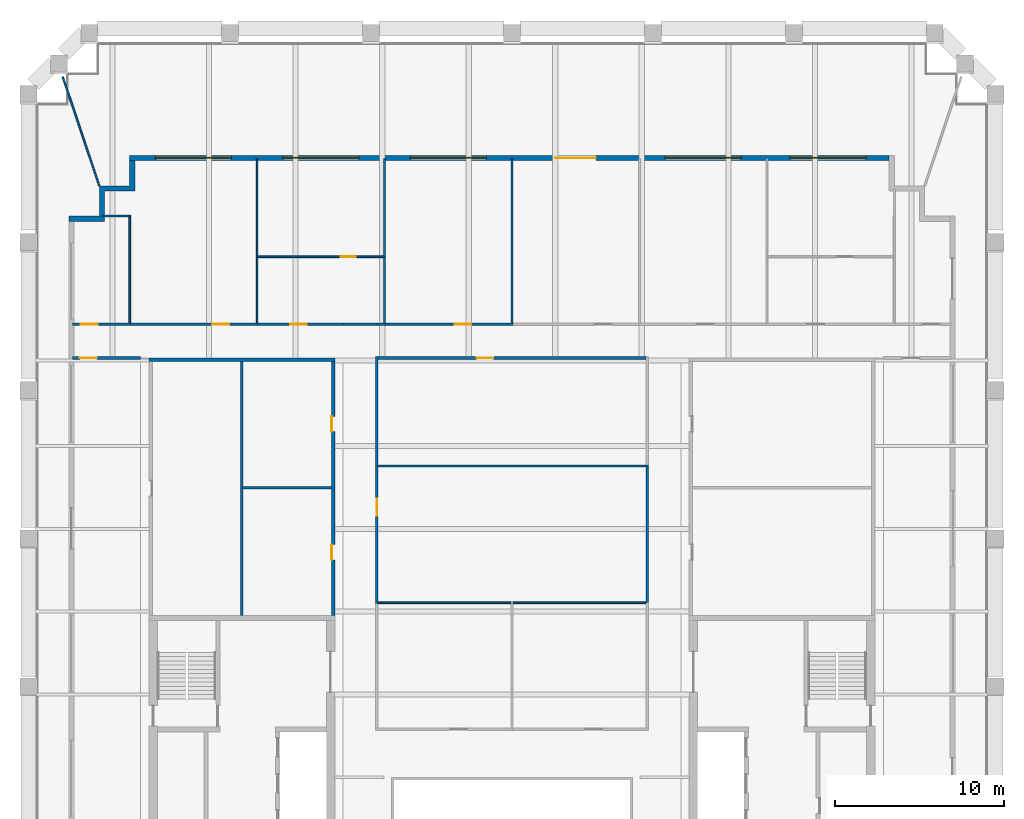
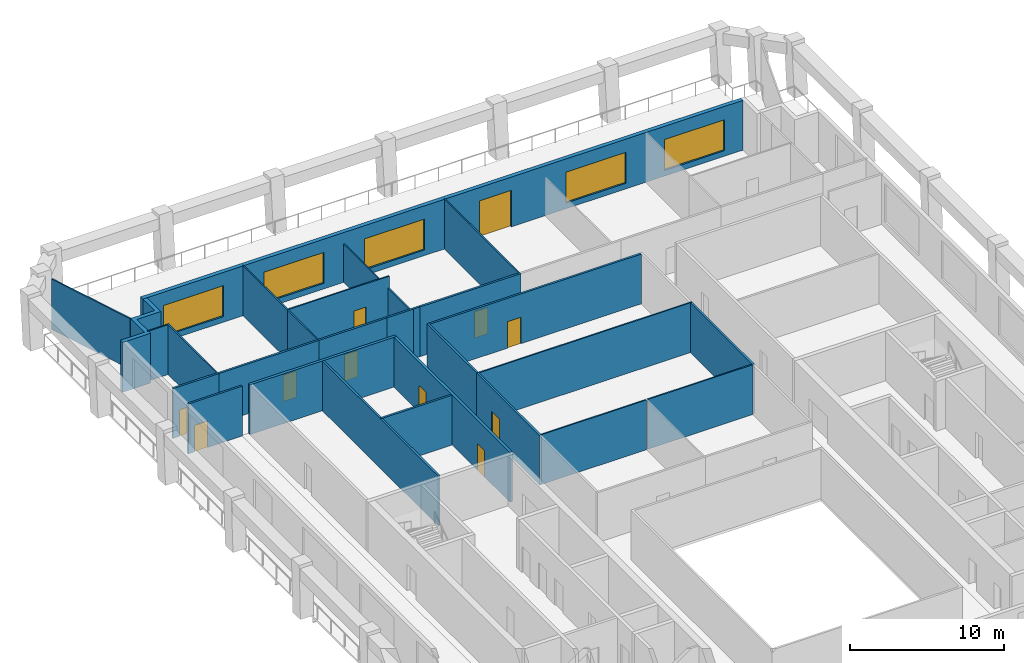
# One storey, part 5 of 9: 29 walls, 11 doors, 5 windows, 16 openings.
"""IFC4 building model written with IfcOpenShell, lengths in metres."""

from ifc_helpers import new_model, si_unit, direction, frame, frame_2d, origin, place, context, subcontext, project, spatial, polyline, rectangle, outline, extrude, material, layer, layer_set, type_object, element, fill, save


model = new_model("IFC4")

# Units and contexts
model_context = context("Model", 3, precision=1e-05, world=origin(), true_north=direction((0.0, 1.0)))
body_context = subcontext(model_context, "Body", "Model", "MODEL_VIEW")
ifc_project = project(units=[si_unit("LENGTHUNIT", "METRE"), si_unit("AREAUNIT", "SQUARE_METRE"), si_unit("VOLUMEUNIT", "CUBIC_METRE"), si_unit("PLANEANGLEUNIT", "RADIAN"), si_unit("MASSUNIT", "GRAM", prefix="KILO")], contexts=[model_context])

# Site, building, storey
site_placement = place(None, origin())
site = spatial("IfcSite", under=ifc_project, at=site_placement, CompositionType="ELEMENT")
building_placement = place(site_placement, origin())
building = spatial("IfcBuilding", under=site, at=building_placement, Name="Ogive Exchange Tower", CompositionType="ELEMENT")
storey_placement = place(building_placement, frame((0.0, 0.0, 355.199951171875)))
storey = spatial("IfcBuildingStorey", under=building, at=storey_placement, Name="L78", CompositionType="ELEMENT", Elevation=355.199951171875)

# Walls
ifc_material_1 = material(Name="Gypsum board partition")
ifc_layer_1 = layer(ifc_material_1, 0.14990234375)
ifc_layer_set_1 = layer_set([ifc_layer_1], Name="Core room partition 150 gypsum")
wall_type_1 = type_object("IfcWallType", Name="Core room partition 150 gypsum", PredefinedType="PARTITIONING", material=ifc_layer_set_1)
wall_1_placement = place(storey_placement, frame((-16.0, 25.75, 0.0), z_axis=(0.0, 0.0, 1.0), x_axis=(0.0, 1.0, 0.0)))
element("IfcWall", 1, at=wall_1_placement, inside=storey, type_object=wall_type_1, Name="W annex N column wall", PredefinedType="PARTITIONING", context=body_context, shape_type="SweptSolid", body=[
    extrude(rectangle(XDim=15.050048828125, YDim=0.14990234375, at=frame_2d((7.52490234375, 0.0))), origin(), (0.0, 0.0, 1.0), 3.949951171875),
])
wall_2_placement = place(storey_placement, frame((-16.0, 33.300048828125, 0.0), z_axis=(0.0, 0.0, 1.0), x_axis=(1.0, 0.0, 0.0)))
element("IfcWall", 2, at=wall_2_placement, inside=storey, type_object=wall_type_1, Name="W annex N cross wall", PredefinedType="PARTITIONING", context=body_context, shape_type="SweptSolid", body=[
    extrude(rectangle(XDim=5.300048828125, YDim=0.14990234375, at=frame_2d((2.64990234375, 0.0))), origin(), (0.0, 0.0, 1.0), 3.949951171875),
])

# Wall, opening, door
ifc_material_2 = material(Name="Fire partition EI 60 150")
ifc_layer_2 = layer(ifc_material_2, 0.14990234375)
ifc_layer_set_2 = layer_set([ifc_layer_2], Name="Fire partition EI 60 150")
wall_type_2 = type_object("IfcWallType", Name="Fire partition EI 60 150", PredefinedType="PARTITIONING", material=ifc_layer_set_2)
wall_3_placement = place(storey_placement, frame((-26.050048828125, 43.0, 0.0), z_axis=(0.0, 0.0, 1.0), x_axis=(1.0, 0.0, 0.0)))
wall_3 = element("IfcWall", 3, at=wall_3_placement, inside=storey, type_object=wall_type_2, Name="L78-PWL-001", PredefinedType="PARTITIONING", context=body_context, shape_type="SweptSolid", body=[
    extrude(rectangle(XDim=3.449951171875, YDim=0.14990234375, at=frame_2d((1.72509765625, 0.0))), origin(), (0.0, 0.0, 1.0), 3.949951171875),
])
opening_1_placement = place(wall_3_placement, frame((0.5, 0.0, 0.0)))
opening_1 = element("IfcOpeningElement", 4, at=opening_1_placement, cuts=wall_3, Name="Opening L78-I10", PredefinedType="OPENING", context=body_context, shape_type="SweptSolid", body=[
    extrude(rectangle(XDim=1.0, YDim=2.10009765625, at=frame_2d((0.5, 1.050048828125))), frame((0.0, 0.0849609375, 0.0), z_axis=(0.0, -1.0, 0.0), x_axis=(1.0, 0.0, 0.0)), (0.0, 0.0, 1.0), 0.169921875),
])
ifc_material_3 = material(Name="Fire door FD 30S 1000 x 2100")
door_type_1 = type_object("IfcDoorType", Name="Fire door FD 30S 1000 x 2100", OperationType="NOTDEFINED", PredefinedType="DOOR", material=ifc_material_3)
door_1_placement = place(opening_1_placement, origin())
door_1 = element("IfcDoor", 5, at=door_1_placement, inside=storey, type_object=door_type_1, Name="L78-IDR-010", ObjectType="DT3", OperationType="SINGLE_SWING_RIGHT", OverallHeight=2.10009765625, OverallWidth=1.0, PredefinedType="DOOR", context=body_context, shape_type="SweptSolid", body=[
    extrude(rectangle(XDim=1.0, YDim=2.10009765625, at=frame_2d((0.5, 1.050048828125))), frame((0.0, 0.02490234375, 0.0), z_axis=(0.0, -1.0, 0.0), x_axis=(1.0, 0.0, 0.0)), (0.0, 0.0, 1.0), 0.050048828125),
])
fill(opening_1, door_1)

wall_4_placement = place(storey_placement, frame((-22.64990234375, 43.0, 0.0), z_axis=(0.0, 0.0, 1.0), x_axis=(1.0, 0.0, 0.0)))
wall_4 = element("IfcWall", 6, at=wall_4_placement, inside=storey, type_object=wall_type_2, Name="L78-PWL-004", PredefinedType="PARTITIONING", context=body_context, shape_type="SweptSolid", body=[
    extrude(rectangle(XDim=7.599853515625, YDim=0.14990234375, at=frame_2d((3.7998046875, 0.0))), origin(), (0.0, 0.0, 1.0), 3.949951171875),
])
opening_2_placement = place(wall_4_placement, frame((4.89990234375, 0.0, 0.0)))
opening_2 = element("IfcOpeningElement", 7, at=opening_2_placement, cuts=wall_4, Name="Opening L78-I09", PredefinedType="OPENING", context=body_context, shape_type="SweptSolid", body=[
    extrude(rectangle(XDim=1.0, YDim=2.10009765625, at=frame_2d((0.5, 1.050048828125))), frame((0.0, 0.0849609375, 0.0), z_axis=(0.0, -1.0, 0.0), x_axis=(1.0, 0.0, 0.0)), (0.0, 0.0, 1.0), 0.169921875),
])
door_2_placement = place(opening_2_placement, origin())
door_2 = element("IfcDoor", 8, at=door_2_placement, inside=storey, type_object=door_type_1, Name="L78-IDR-009", ObjectType="DT3", OperationType="SINGLE_SWING_LEFT", OverallHeight=2.10009765625, OverallWidth=1.0, PredefinedType="DOOR", context=body_context, shape_type="SweptSolid", body=[
    extrude(rectangle(XDim=1.0, YDim=2.10009765625, at=frame_2d((0.5, 1.050048828125))), frame((0.0, 0.02490234375, 0.0), z_axis=(0.0, -1.0, 0.0), x_axis=(1.0, 0.0, 0.0)), (0.0, 0.0, 1.0), 0.050048828125),
])
fill(opening_2, door_2)

wall_5_placement = place(storey_placement, frame((-22.0, 41.0, 0.0), z_axis=(0.0, 0.0, 1.0), x_axis=(-1.0, 0.0, 0.0)))
wall_5 = element("IfcWall", 9, at=wall_5_placement, inside=storey, type_object=wall_type_2, Name="L78-PWL-006", PredefinedType="PARTITIONING", context=body_context, shape_type="SweptSolid", body=[
    extrude(rectangle(XDim=4.050048828125, YDim=0.14990234375, at=frame_2d((2.02490234375, 0.0))), origin(), (0.0, 0.0, 1.0), 3.949951171875),
])
opening_3_placement = place(wall_5_placement, frame((2.60009765625, 0.0, 0.0)))
opening_3 = element("IfcOpeningElement", 10, at=opening_3_placement, cuts=wall_5, Name="Opening L78-I15", PredefinedType="OPENING", context=body_context, shape_type="SweptSolid", body=[
    extrude(rectangle(XDim=1.0, YDim=2.10009765625, at=frame_2d((0.5, 1.050048828125))), frame((0.0, 0.0849609375, 0.0), z_axis=(0.0, -1.0, 0.0), x_axis=(1.0, 0.0, 0.0)), (0.0, 0.0, 1.0), 0.169921875),
])
door_3_placement = place(opening_3_placement, origin())
door_3 = element("IfcDoor", 11, at=door_3_placement, inside=storey, type_object=door_type_1, Name="L78-IDR-015", ObjectType="DT3", OperationType="SINGLE_SWING_LEFT", OverallHeight=2.10009765625, OverallWidth=1.0, PredefinedType="DOOR", context=body_context, shape_type="SweptSolid", body=[
    extrude(rectangle(XDim=1.0, YDim=2.10009765625, at=frame_2d((0.5, 1.050048828125))), frame((0.0, 0.02490234375, 0.0), z_axis=(0.0, -1.0, 0.0), x_axis=(1.0, 0.0, 0.0)), (0.0, 0.0, 1.0), 0.050048828125),
])
fill(opening_3, door_3)

wall_6_placement = place(storey_placement, frame((-15.10009765625, 43.0, 0.0), z_axis=(0.0, 0.0, 1.0), x_axis=(1.0, 0.0, 0.0)))
wall_6 = element("IfcWall", 12, at=wall_6_placement, inside=storey, type_object=wall_type_2, Name="L78-PWL-008", PredefinedType="PARTITIONING", context=body_context, shape_type="SweptSolid", body=[
    extrude(rectangle(XDim=5.10009765625, YDim=0.14990234375, at=frame_2d((2.550048828125, 0.0))), origin(), (0.0, 0.0, 1.0), 3.949951171875),
])
opening_4_placement = place(wall_6_placement, frame((1.949951171875, 0.0, 0.0)))
opening_4 = element("IfcOpeningElement", 13, at=opening_4_placement, cuts=wall_6, Name="Opening L78-I07", PredefinedType="OPENING", context=body_context, shape_type="SweptSolid", body=[
    extrude(rectangle(XDim=1.0, YDim=2.10009765625, at=frame_2d((0.5, 1.050048828125))), frame((0.0, 0.0849609375, 0.0), z_axis=(0.0, -1.0, 0.0), x_axis=(1.0, 0.0, 0.0)), (0.0, 0.0, 1.0), 0.169921875),
])
door_4_placement = place(opening_4_placement, origin())
door_4 = element("IfcDoor", 14, at=door_4_placement, inside=storey, type_object=door_type_1, Name="L78-IDR-007", ObjectType="DT3", OperationType="SINGLE_SWING_RIGHT", OverallHeight=2.10009765625, OverallWidth=1.0, PredefinedType="DOOR", context=body_context, shape_type="SweptSolid", body=[
    extrude(rectangle(XDim=1.0, YDim=2.10009765625, at=frame_2d((0.5, 1.050048828125))), frame((0.0, 0.02490234375, 0.0), z_axis=(0.0, -1.0, 0.0), x_axis=(1.0, 0.0, 0.0)), (0.0, 0.0, 1.0), 0.050048828125),
])
fill(opening_4, door_4)

# Wall
wall_7_placement = place(storey_placement, frame((-10.0, 43.0, 0.0), z_axis=(0.0, 0.0, 1.0), x_axis=(1.0, 0.0, 0.0)))
element("IfcWall", 15, at=wall_7_placement, inside=storey, type_object=wall_type_2, Name="L78-PWL-011", PredefinedType="PARTITIONING", context=body_context, shape_type="SweptSolid", body=[
    extrude(rectangle(XDim=2.0, YDim=0.14990234375, at=frame_2d((1.0, 0.0))), origin(), (0.0, 0.0, 1.0), 3.949951171875),
])

# Wall, opening, door
wall_8_placement = place(storey_placement, frame((-8.0, 34.64990234375, 0.0), z_axis=(0.0, 0.0, 1.0), x_axis=(0.0, -1.0, 0.0)))
wall_8 = element("IfcWall", 16, at=wall_8_placement, inside=storey, type_object=wall_type_2, Name="L78-PWL-014", PredefinedType="PARTITIONING", context=body_context, shape_type="SweptSolid", body=[
    extrude(rectangle(XDim=8.199951171875, YDim=0.14990234375, at=frame_2d((4.10009765625, 0.0))), origin(), (0.0, 0.0, 1.0), 3.949951171875),
])
opening_5_placement = place(wall_8_placement, frame((2.0, 0.0, 0.0)))
opening_5 = element("IfcOpeningElement", 17, at=opening_5_placement, cuts=wall_8, Name="Opening L78-I11", PredefinedType="OPENING", context=body_context, shape_type="SweptSolid", body=[
    extrude(rectangle(XDim=1.0, YDim=2.10009765625, at=frame_2d((0.5, 1.050048828125))), frame((0.0, 0.0849609375, 0.0), z_axis=(0.0, -1.0, 0.0), x_axis=(1.0, 0.0, 0.0)), (0.0, 0.0, 1.0), 0.169921875),
])
door_5_placement = place(opening_5_placement, origin())
door_5 = element("IfcDoor", 18, at=door_5_placement, inside=storey, type_object=door_type_1, Name="L78-IDR-011", ObjectType="DT3", OperationType="SINGLE_SWING_RIGHT", OverallHeight=2.10009765625, OverallWidth=1.0, PredefinedType="DOOR", context=body_context, shape_type="SweptSolid", body=[
    extrude(rectangle(XDim=1.0, YDim=2.10009765625, at=frame_2d((0.5, 1.050048828125))), frame((0.0, 0.02490234375, 0.0), z_axis=(0.0, -1.0, 0.0), x_axis=(1.0, 0.0, 0.0)), (0.0, 0.0, 1.0), 0.050048828125),
])
fill(opening_5, door_5)

# Walls
wall_9_placement = place(storey_placement, frame((-8.0, 41.074951171875, 0.0), z_axis=(0.0, 0.0, 1.0), x_axis=(0.0, -1.0, 0.0)))
element("IfcWall", 19, at=wall_9_placement, inside=storey, type_object=wall_type_2, Name="L78-PWL-016", PredefinedType="PARTITIONING", context=body_context, shape_type="SweptSolid", body=[
    extrude(rectangle(XDim=6.474853515625, YDim=0.14990234375, at=frame_2d((3.2373046875, 0.0))), origin(), (0.0, 0.0, 1.0), 3.949951171875),
])
wall_10_placement = place(storey_placement, frame((-8.0, 43.0, 0.0), z_axis=(0.0, 0.0, 1.0), x_axis=(1.0, 0.0, 0.0)))
element("IfcWall", 20, at=wall_10_placement, inside=storey, type_object=wall_type_2, Name="L78-PWL-017", PredefinedType="PARTITIONING", context=body_context, shape_type="SweptSolid", body=[
    extrude(rectangle(XDim=0.5, YDim=0.14990234375, at=frame_2d((0.25, 0.0))), origin(), (0.0, 0.0, 1.0), 3.949951171875),
])

# Wall, opening, door
wall_11_placement = place(storey_placement, frame((-7.550048828125, 43.0, 0.0), z_axis=(0.0, 0.0, 1.0), x_axis=(1.0, 0.0, 0.0)))
wall_11 = element("IfcWall", 21, at=wall_11_placement, inside=storey, type_object=wall_type_2, Name="L78-PWL-019", PredefinedType="PARTITIONING", context=body_context, shape_type="SweptSolid", body=[
    extrude(rectangle(XDim=7.60009765625, YDim=0.14990234375, at=frame_2d((3.800048828125, 0.0))), origin(), (0.0, 0.0, 1.0), 3.949951171875),
])
opening_6_placement = place(wall_11_placement, frame((4.14990234375, 0.0, 0.0)))
opening_6 = element("IfcOpeningElement", 22, at=opening_6_placement, cuts=wall_11, Name="Opening L78-I06", PredefinedType="OPENING", context=body_context, shape_type="SweptSolid", body=[
    extrude(rectangle(XDim=1.0, YDim=2.10009765625, at=frame_2d((0.5, 1.050048828125))), frame((0.0, 0.0849609375, 0.0), z_axis=(0.0, -1.0, 0.0), x_axis=(1.0, 0.0, 0.0)), (0.0, 0.0, 1.0), 0.169921875),
])
door_6_placement = place(opening_6_placement, origin())
door_6 = element("IfcDoor", 23, at=door_6_placement, inside=storey, type_object=door_type_1, Name="L78-IDR-006", ObjectType="DT3", OperationType="SINGLE_SWING_LEFT", OverallHeight=2.10009765625, OverallWidth=1.0, PredefinedType="DOOR", context=body_context, shape_type="SweptSolid", body=[
    extrude(rectangle(XDim=1.0, YDim=2.10009765625, at=frame_2d((0.5, 1.050048828125))), frame((0.0, 0.02490234375, 0.0), z_axis=(0.0, -1.0, 0.0), x_axis=(1.0, 0.0, 0.0)), (0.0, 0.0, 1.0), 0.050048828125),
])
fill(opening_6, door_6)

# Wall
wall_12_placement = place(storey_placement, frame((8.0, 26.5, 0.0), z_axis=(0.0, 0.0, 1.0), x_axis=(0.0, 1.0, 0.0)))
element("IfcWall", 24, at=wall_12_placement, inside=storey, type_object=wall_type_2, Name="L78-PWL-030", PredefinedType="PARTITIONING", context=body_context, shape_type="SweptSolid", body=[
    extrude(rectangle(XDim=8.050048828125, YDim=0.14990234375, at=frame_2d((4.02490234375, 0.0))), origin(), (0.0, 0.0, 1.0), 3.949951171875),
])

# Wall, opening, door
wall_13_placement = place(storey_placement, frame((7.925048828125, 41.0, 0.0), z_axis=(0.0, 0.0, 1.0), x_axis=(-1.0, 0.0, 0.0)))
wall_13 = element("IfcWall", 25, at=wall_13_placement, inside=storey, type_object=wall_type_2, Name="L78-PWL-032", PredefinedType="PARTITIONING", context=body_context, shape_type="SweptSolid", body=[
    extrude(rectangle(XDim=15.85009765625, YDim=0.14990234375, at=frame_2d((7.925048828125, 0.0))), origin(), (0.0, 0.0, 1.0), 3.949951171875),
])
opening_7_placement = place(wall_13_placement, frame((9.02490234375, 0.0, 0.0)))
opening_7 = element("IfcOpeningElement", 26, at=opening_7_placement, cuts=wall_13, Name="Opening L78-I12", PredefinedType="OPENING", context=body_context, shape_type="SweptSolid", body=[
    extrude(rectangle(XDim=1.0, YDim=2.10009765625, at=frame_2d((0.5, 1.050048828125))), frame((0.0, 0.0849609375, 0.0), z_axis=(0.0, -1.0, 0.0), x_axis=(1.0, 0.0, 0.0)), (0.0, 0.0, 1.0), 0.169921875),
])
door_7_placement = place(opening_7_placement, origin())
door_7 = element("IfcDoor", 27, at=door_7_placement, inside=storey, type_object=door_type_1, Name="L78-IDR-012", ObjectType="DT3", OperationType="SINGLE_SWING_LEFT", OverallHeight=2.10009765625, OverallWidth=1.0, PredefinedType="DOOR", context=body_context, shape_type="SweptSolid", body=[
    extrude(rectangle(XDim=1.0, YDim=2.10009765625, at=frame_2d((0.5, 1.050048828125))), frame((0.0, 0.02490234375, 0.0), z_axis=(0.0, -1.0, 0.0), x_axis=(1.0, 0.0, 0.0)), (0.0, 0.0, 1.0), 0.050048828125),
])
fill(opening_7, door_7)

# Wall, openings, door, windows
ifc_material_4 = material(Name="Precast concrete C40/50", Category="concrete")
ifc_layer_3 = layer(ifc_material_4, 0.300048828125)
ifc_layer_set_3 = layer_set([ifc_layer_3], Name="Limestone-faced wall 300")
wall_type_3 = type_object("IfcWallType", Name="Limestone-faced wall 300", PredefinedType="STANDARD", material=ifc_layer_set_3)
wall_14_placement = place(storey_placement, frame((22.35009765625, 52.85009765625, 0.0), z_axis=(0.0, 0.0, 1.0), x_axis=(-1.0, 0.0, 0.0)))
wall_14 = element("IfcWall", 28, at=wall_14_placement, inside=storey, type_object=wall_type_3, Name="External wall N3", PredefinedType="STANDARD", context=body_context, shape_type="SweptSolid", body=[
    extrude(rectangle(XDim=45.0, YDim=0.300048828125, at=frame_2d((22.5, 0.0))), origin(), (0.0, 0.0, 1.0), 3.949951171875),
])
opening_8_placement = place(wall_14_placement, frame((1.375, 0.0, 0.449951171875)))
opening_8 = element("IfcOpeningElement", 29, at=opening_8_placement, cuts=wall_14, Name="Opening W1Q", PredefinedType="OPENING", context=body_context, shape_type="SweptSolid", body=[
    extrude(rectangle(XDim=4.5, YDim=2.449951171875, at=frame_2d((2.25, 1.22509765625))), frame((0.0, 0.159912109375, 0.0), z_axis=(0.0, -1.0, 0.0), x_axis=(1.0, 0.0, 0.0)), (0.0, 0.0, 1.0), 0.320068359375),
])
opening_9_placement = place(wall_14_placement, frame((8.77490234375, 0.0, 0.449951171875)))
opening_9 = element("IfcOpeningElement", 30, at=opening_9_placement, cuts=wall_14, Name="Opening W1Q", PredefinedType="OPENING", context=body_context, shape_type="SweptSolid", body=[
    extrude(rectangle(XDim=4.5, YDim=2.449951171875, at=frame_2d((2.25, 1.22509765625))), frame((0.0, 0.159912109375, 0.0), z_axis=(0.0, -1.0, 0.0), x_axis=(1.0, 0.0, 0.0)), (0.0, 0.0, 1.0), 0.320068359375),
])
opening_10_placement = place(wall_14_placement, frame((17.375, 0.0, 0.0)))
opening_10 = element("IfcOpeningElement", 31, at=opening_10_placement, cuts=wall_14, Name="Opening D1P", PredefinedType="OPENING", context=body_context, shape_type="SweptSolid", body=[
    extrude(rectangle(XDim=2.39990234375, YDim=2.89990234375, at=frame_2d((1.199951171875, 1.449951171875))), frame((0.0, 0.159912109375, 0.0), z_axis=(0.0, -1.0, 0.0), x_axis=(1.0, 0.0, 0.0)), (0.0, 0.0, 1.0), 0.320068359375),
])
opening_11_placement = place(wall_14_placement, frame((23.875, 0.0, 0.449951171875)))
opening_11 = element("IfcOpeningElement", 32, at=opening_11_placement, cuts=wall_14, Name="Opening W1Q", PredefinedType="OPENING", context=body_context, shape_type="SweptSolid", body=[
    extrude(rectangle(XDim=4.5, YDim=2.449951171875, at=frame_2d((2.25, 1.22509765625))), frame((0.0, 0.159912109375, 0.0), z_axis=(0.0, -1.0, 0.0), x_axis=(1.0, 0.0, 0.0)), (0.0, 0.0, 1.0), 0.320068359375),
])
opening_12_placement = place(wall_14_placement, frame((31.425048828125, 0.0, 0.449951171875)))
opening_12 = element("IfcOpeningElement", 33, at=opening_12_placement, cuts=wall_14, Name="Opening W1Q", PredefinedType="OPENING", context=body_context, shape_type="SweptSolid", body=[
    extrude(rectangle(XDim=4.5, YDim=2.449951171875, at=frame_2d((2.25, 1.22509765625))), frame((0.0, 0.159912109375, 0.0), z_axis=(0.0, -1.0, 0.0), x_axis=(1.0, 0.0, 0.0)), (0.0, 0.0, 1.0), 0.320068359375),
])
opening_13_placement = place(wall_14_placement, frame((38.97509765625, 0.0, 0.449951171875)))
opening_13 = element("IfcOpeningElement", 34, at=opening_13_placement, cuts=wall_14, Name="Opening W1Q", PredefinedType="OPENING", context=body_context, shape_type="SweptSolid", body=[
    extrude(rectangle(XDim=4.5, YDim=2.449951171875, at=frame_2d((2.25, 1.22509765625))), frame((0.0, 0.159912109375, 0.0), z_axis=(0.0, -1.0, 0.0), x_axis=(1.0, 0.0, 0.0)), (0.0, 0.0, 1.0), 0.320068359375),
])
ifc_material_5 = material(Name="Clear glass in bronze frame", Category="glass")
door_type_2 = type_object("IfcDoorType", Name="Sliding loggia door 2400 x 2900", OperationType="DOUBLE_DOOR_SLIDING", PredefinedType="DOOR", material=ifc_material_5)
door_8_placement = place(opening_10_placement, origin())
door_8 = element("IfcDoor", 35, at=door_8_placement, inside=storey, type_object=door_type_2, Name="Loggia door N02", OperationType="DOUBLE_DOOR_SLIDING", OverallHeight=2.89990234375, OverallWidth=2.39990234375, PredefinedType="DOOR", context=body_context, shape_type="SweptSolid", body=[
    extrude(rectangle(XDim=2.39990234375, YDim=2.89990234375, at=frame_2d((1.199951171875, 1.449951171875))), frame((0.0, 0.02490234375, 0.0), z_axis=(0.0, -1.0, 0.0), x_axis=(1.0, 0.0, 0.0)), (0.0, 0.0, 1.0), 0.050048828125),
])
fill(opening_10, door_8)
window_type = type_object("IfcWindowType", Name="Twin lancet window 4500 x 2450", PartitioningType="DOUBLE_PANEL_VERTICAL", PredefinedType="WINDOW", material=ifc_material_5)
window_1_placement = place(opening_8_placement, origin())
window_1 = element("IfcWindow", 36, at=window_1_placement, inside=storey, type_object=window_type, Name="Window N00", OverallHeight=2.449951171875, OverallWidth=4.5, PartitioningType="DOUBLE_PANEL_VERTICAL", PredefinedType="WINDOW", context=body_context, shape_type="SweptSolid", body=[
    extrude(rectangle(XDim=4.5, YDim=2.449951171875, at=frame_2d((2.25, 1.22509765625))), frame((0.0, 0.030029296875, 0.0), z_axis=(0.0, -1.0, 0.0), x_axis=(1.0, 0.0, 0.0)), (0.0, 0.0, 1.0), 0.06005859375),
])
fill(opening_8, window_1)
window_2_placement = place(opening_9_placement, origin())
window_2 = element("IfcWindow", 37, at=window_2_placement, inside=storey, type_object=window_type, Name="Window N01", OverallHeight=2.449951171875, OverallWidth=4.5, PartitioningType="DOUBLE_PANEL_VERTICAL", PredefinedType="WINDOW", context=body_context, shape_type="SweptSolid", body=[
    extrude(rectangle(XDim=4.5, YDim=2.449951171875, at=frame_2d((2.25, 1.22509765625))), frame((0.0, 0.030029296875, 0.0), z_axis=(0.0, -1.0, 0.0), x_axis=(1.0, 0.0, 0.0)), (0.0, 0.0, 1.0), 0.06005859375),
])
fill(opening_9, window_2)
window_3_placement = place(opening_11_placement, origin())
window_3 = element("IfcWindow", 38, at=window_3_placement, inside=storey, type_object=window_type, Name="Window N03", OverallHeight=2.449951171875, OverallWidth=4.5, PartitioningType="DOUBLE_PANEL_VERTICAL", PredefinedType="WINDOW", context=body_context, shape_type="SweptSolid", body=[
    extrude(rectangle(XDim=4.5, YDim=2.449951171875, at=frame_2d((2.25, 1.22509765625))), frame((0.0, 0.030029296875, 0.0), z_axis=(0.0, -1.0, 0.0), x_axis=(1.0, 0.0, 0.0)), (0.0, 0.0, 1.0), 0.06005859375),
])
fill(opening_11, window_3)
window_4_placement = place(opening_12_placement, origin())
window_4 = element("IfcWindow", 39, at=window_4_placement, inside=storey, type_object=window_type, Name="Window N04", OverallHeight=2.449951171875, OverallWidth=4.5, PartitioningType="DOUBLE_PANEL_VERTICAL", PredefinedType="WINDOW", context=body_context, shape_type="SweptSolid", body=[
    extrude(rectangle(XDim=4.5, YDim=2.449951171875, at=frame_2d((2.25, 1.22509765625))), frame((0.0, 0.030029296875, 0.0), z_axis=(0.0, -1.0, 0.0), x_axis=(1.0, 0.0, 0.0)), (0.0, 0.0, 1.0), 0.06005859375),
])
fill(opening_12, window_4)
window_5_placement = place(opening_13_placement, origin())
window_5 = element("IfcWindow", 40, at=window_5_placement, inside=storey, type_object=window_type, Name="Window N05", OverallHeight=2.449951171875, OverallWidth=4.5, PartitioningType="DOUBLE_PANEL_VERTICAL", PredefinedType="WINDOW", context=body_context, shape_type="SweptSolid", body=[
    extrude(rectangle(XDim=4.5, YDim=2.449951171875, at=frame_2d((2.25, 1.22509765625))), frame((0.0, 0.030029296875, 0.0), z_axis=(0.0, -1.0, 0.0), x_axis=(1.0, 0.0, 0.0)), (0.0, 0.0, 1.0), 0.06005859375),
])
fill(opening_13, window_5)

# Walls
wall_15_placement = place(storey_placement, origin())
element("IfcWall", 41, at=wall_15_placement, inside=storey, type_object=wall_type_3, Name="External corner wall C3", PredefinedType="STANDARD", context=body_context, shape_type="SweptSolid", body=[
    extrude(outline(polyline([(-24.449951171875, 49.39990234375), (-24.449951171875, 51.199951171875), (-22.64990234375, 51.199951171875), (-22.64990234375, 52.699951171875), (-22.35009765625, 52.699951171875), (-22.35009765625, 50.89990234375), (-24.14990234375, 50.89990234375), (-24.14990234375, 49.10009765625), (-26.25, 49.10009765625), (-26.25, 49.39990234375), (-24.449951171875, 49.39990234375)])), origin(), (0.0, 0.0, 1.0), 3.949951171875),
])
ifc_material_6 = material(Name="Laminated safety glass in steel frame", Category="steel")
ifc_layer_4 = layer(ifc_material_6, 0.10009765625)
ifc_layer_set_4 = layer_set([ifc_layer_4], Name="Loggia end screen 100")
wall_type_4 = type_object("IfcWallType", Name="Loggia end screen 100", PredefinedType="STANDARD", material=ifc_layer_set_4)
wall_16_placement = place(storey_placement, frame((-24.449951171875, 51.199951171875, -0.050048828125), z_axis=(0.0, 0.0, 1.0), x_axis=(-0.318388488285, 0.947960321178, 0.0)))
element("IfcWall", 42, at=wall_16_placement, inside=storey, type_object=wall_type_4, Name="Loggia end screen C3", PredefinedType="STANDARD", context=body_context, shape_type="SweptSolid", body=[
    extrude(rectangle(XDim=6.810791015625, YDim=0.10009765625, at=frame_2d((3.4052734375, 0.0))), origin(), (0.0, 0.0, 1.0), 4.0),
])
ifc_material_7 = material(Name="Partition 100 gypsum")
ifc_layer_5 = layer(ifc_material_7, 0.10009765625)
ifc_layer_set_5 = layer_set([ifc_layer_5], Name="Partition 100 gypsum")
wall_type_5 = type_object("IfcWallType", Name="Partition 100 gypsum", PredefinedType="PARTITIONING", material=ifc_layer_set_5)
wall_17_placement = place(storey_placement, frame((-22.64990234375, 43.074951171875, 0.0), z_axis=(0.0, 0.0, 1.0), x_axis=(0.0, 1.0, 0.0)))
element("IfcWall", 43, at=wall_17_placement, inside=storey, type_object=wall_type_5, Name="L78-PWL-003", PredefinedType="PARTITIONING", context=body_context, shape_type="SweptSolid", body=[
    extrude(rectangle(XDim=6.385009765625, YDim=0.10009765625, at=frame_2d((3.1923828125, 0.0))), origin(), (0.0, 0.0, 1.0), 3.949951171875),
])
wall_18_placement = place(storey_placement, frame((-22.699951171875, 49.409912109375, 0.0), z_axis=(0.0, 0.0, 1.0), x_axis=(-1.0, 0.0, 0.0)))
element("IfcWall", 44, at=wall_18_placement, inside=storey, type_object=wall_type_5, Name="L78-PWL-005", PredefinedType="PARTITIONING", context=body_context, shape_type="SweptSolid", body=[
    extrude(rectangle(XDim=1.550048828125, YDim=0.10009765625, at=frame_2d((0.77490234375, 0.0))), origin(), (0.0, 0.0, 1.0), 3.949951171875),
])
wall_19_placement = place(storey_placement, frame((-15.10009765625, 43.074951171875, 0.0), z_axis=(0.0, 0.0, 1.0), x_axis=(0.0, 1.0, 0.0)))
element("IfcWall", 45, at=wall_19_placement, inside=storey, type_object=wall_type_5, Name="L78-PWL-007", PredefinedType="PARTITIONING", context=body_context, shape_type="SweptSolid", body=[
    extrude(rectangle(XDim=3.875, YDim=0.10009765625, at=frame_2d((1.9375, 0.0))), origin(), (0.0, 0.0, 1.0), 3.949951171875),
])
wall_20_placement = place(storey_placement, frame((-15.10009765625, 46.949951171875, 0.0), z_axis=(0.0, 0.0, 1.0), x_axis=(0.0, 1.0, 0.0)))
element("IfcWall", 46, at=wall_20_placement, inside=storey, type_object=wall_type_5, Name="L78-PWL-009", PredefinedType="PARTITIONING", context=body_context, shape_type="SweptSolid", body=[
    extrude(rectangle(XDim=5.85009765625, YDim=0.10009765625, at=frame_2d((2.925048828125, 0.0))), origin(), (0.0, 0.0, 1.0), 3.949951171875),
])

# Wall, opening, door
wall_21_placement = place(storey_placement, frame((-15.050048828125, 47.0, 0.0), z_axis=(0.0, 0.0, 1.0), x_axis=(1.0, 0.0, 0.0)))
wall_21 = element("IfcWall", 47, at=wall_21_placement, inside=storey, type_object=wall_type_5, Name="L78-PWL-010", PredefinedType="PARTITIONING", context=body_context, shape_type="SweptSolid", body=[
    extrude(rectangle(XDim=7.550048828125, YDim=0.10009765625, at=frame_2d((3.77490234375, 0.0))), origin(), (0.0, 0.0, 1.0), 3.949951171875),
])
opening_14_placement = place(wall_21_placement, frame((4.89990234375, 0.0, 0.0)))
opening_14 = element("IfcOpeningElement", 48, at=opening_14_placement, cuts=wall_21, Name="Opening L78-I08", PredefinedType="OPENING", context=body_context, shape_type="SweptSolid", body=[
    extrude(rectangle(XDim=0.89990234375, YDim=2.10009765625, at=frame_2d((0.449951171875, 1.050048828125))), frame((0.0, 0.06005859375, 0.0), z_axis=(0.0, -1.0, 0.0), x_axis=(1.0, 0.0, 0.0)), (0.0, 0.0, 1.0), 0.1201171875),
])
ifc_material_8 = material(Name="Door 900 x 2100")
door_type_3 = type_object("IfcDoorType", Name="Door 900 x 2100", OperationType="NOTDEFINED", PredefinedType="DOOR", material=ifc_material_8)
door_9_placement = place(opening_14_placement, frame((0.89990234375, 0.0, 0.0), z_axis=(0.0, 0.0, 1.0), x_axis=(-1.0, 0.0, 0.0)))
door_9 = element("IfcDoor", 49, at=door_9_placement, inside=storey, type_object=door_type_3, Name="L78-IDR-008", ObjectType="DT1", OperationType="SINGLE_SWING_RIGHT", OverallHeight=2.10009765625, OverallWidth=0.89990234375, PredefinedType="DOOR", context=body_context, shape_type="SweptSolid", body=[
    extrude(rectangle(XDim=0.89990234375, YDim=2.10009765625, at=frame_2d((0.449951171875, 1.050048828125))), frame((0.0, 0.02490234375, 0.0), z_axis=(0.0, -1.0, 0.0), x_axis=(1.0, 0.0, 0.0)), (0.0, 0.0, 1.0), 0.050048828125),
])
fill(opening_14, door_9)

# Walls
wall_22_placement = place(storey_placement, frame((-7.925048828125, 34.60009765625, 0.0), z_axis=(0.0, 0.0, 1.0), x_axis=(1.0, 0.0, 0.0)))
element("IfcWall", 50, at=wall_22_placement, inside=storey, type_object=wall_type_5, Name="L78-PWL-015", PredefinedType="PARTITIONING", context=body_context, shape_type="SweptSolid", body=[
    extrude(rectangle(XDim=16.0, YDim=0.10009765625, at=frame_2d((8.0, 0.0))), origin(), (0.0, 0.0, 1.0), 3.949951171875),
])
wall_23_placement = place(storey_placement, frame((-7.550048828125, 43.074951171875, 0.0), z_axis=(0.0, 0.0, 1.0), x_axis=(0.0, 1.0, 0.0)))
element("IfcWall", 51, at=wall_23_placement, inside=storey, type_object=wall_type_5, Name="L78-PWL-018", PredefinedType="PARTITIONING", context=body_context, shape_type="SweptSolid", body=[
    extrude(rectangle(XDim=3.875, YDim=0.10009765625, at=frame_2d((1.9375, 0.0))), origin(), (0.0, 0.0, 1.0), 3.031005859375),
])
wall_24_placement = place(storey_placement, frame((-7.550048828125, 47.050048828125, 0.0), z_axis=(0.0, 0.0, 1.0), x_axis=(0.0, 1.0, 0.0)))
element("IfcWall", 52, at=wall_24_placement, inside=storey, type_object=wall_type_5, Name="L78-PWL-020", PredefinedType="PARTITIONING", context=body_context, shape_type="SweptSolid", body=[
    extrude(rectangle(XDim=5.75, YDim=0.10009765625, at=frame_2d((2.875, 0.0))), origin(), (0.0, 0.0, 1.0), 3.031005859375),
])
wall_25_placement = place(storey_placement, frame((-0.050048828125, 26.5, 0.0), z_axis=(0.0, 0.0, 1.0), x_axis=(-1.0, 0.0, 0.0)))
element("IfcWall", 53, at=wall_25_placement, inside=storey, type_object=wall_type_5, Name="L78-PWL-023", PredefinedType="PARTITIONING", context=body_context, shape_type="SweptSolid", body=[
    extrude(rectangle(XDim=7.875, YDim=0.10009765625, at=frame_2d((3.9375, 0.0))), origin(), (0.0, 0.0, 1.0), 3.949951171875),
])
wall_26_placement = place(storey_placement, frame((0.0, 43.074951171875, 0.0), z_axis=(0.0, 0.0, 1.0), x_axis=(0.0, 1.0, 0.0)))
element("IfcWall", 54, at=wall_26_placement, inside=storey, type_object=wall_type_5, Name="L78-PWL-024", PredefinedType="PARTITIONING", context=body_context, shape_type="SweptSolid", body=[
    extrude(rectangle(XDim=9.72509765625, YDim=0.10009765625, at=frame_2d((4.862548828125, 0.0))), origin(), (0.0, 0.0, 1.0), 3.949951171875),
])
wall_27_placement = place(storey_placement, frame((7.925048828125, 26.5, 0.0), z_axis=(0.0, 0.0, 1.0), x_axis=(-1.0, 0.0, 0.0)))
element("IfcWall", 55, at=wall_27_placement, inside=storey, type_object=wall_type_5, Name="L78-PWL-029", PredefinedType="PARTITIONING", context=body_context, shape_type="SweptSolid", body=[
    extrude(rectangle(XDim=7.875, YDim=0.10009765625, at=frame_2d((3.9375, 0.0))), origin(), (0.0, 0.0, 1.0), 3.949951171875),
])

# Wall, openings, doors
ifc_material_9 = material(Name="Concrete C70/85", Category="concrete")
ifc_layer_6 = layer(ifc_material_9, 0.199951171875)
ifc_layer_set_6 = layer_set([ifc_layer_6], Name="RC core wall 200 C70/85")
wall_type_6 = type_object("IfcWallType", Name="RC core wall 200 C70/85", PredefinedType="SHEAR", material=ifc_layer_set_6)
wall_28_placement = place(storey_placement, frame((-10.60009765625, 25.75, 0.0), z_axis=(0.0, 0.0, 1.0), x_axis=(0.0, 1.0, 0.0)))
wall_28 = element("IfcWall", 56, at=wall_28_placement, inside=storey, type_object=wall_type_6, Name="W annex N inner wall", PredefinedType="SHEAR", context=body_context, shape_type="SweptSolid", body=[
    extrude(rectangle(XDim=15.050048828125, YDim=0.199951171875, at=frame_2d((7.52490234375, 0.0))), origin(), (0.0, 0.0, 1.0), 3.949951171875),
])
opening_15_placement = place(wall_28_placement, frame((3.28759765625, 0.0, 0.0)))
opening_15 = element("IfcOpeningElement", 57, at=opening_15_placement, cuts=wall_28, Name="Opening L78-C17", PredefinedType="OPENING", context=body_context, shape_type="SweptSolid", body=[
    extrude(rectangle(XDim=0.89990234375, YDim=2.10009765625, at=frame_2d((0.449951171875, 1.050048828125))), frame((0.0, 0.10986328125, 0.0), z_axis=(0.0, -1.0, 0.0), x_axis=(1.0, 0.0, 0.0)), (0.0, 0.0, 1.0), 0.219970703125),
])
opening_16_placement = place(wall_28_placement, frame((10.887451171875, 0.0, 0.0)))
opening_16 = element("IfcOpeningElement", 58, at=opening_16_placement, cuts=wall_28, Name="Opening L78-C18", PredefinedType="OPENING", context=body_context, shape_type="SweptSolid", body=[
    extrude(rectangle(XDim=0.89990234375, YDim=2.10009765625, at=frame_2d((0.449951171875, 1.050048828125))), frame((0.0, 0.10986328125, 0.0), z_axis=(0.0, -1.0, 0.0), x_axis=(1.0, 0.0, 0.0)), (0.0, 0.0, 1.0), 0.219970703125),
])
ifc_material_10 = material(Name="Steel fire door", Category="steel")
door_type_4 = type_object("IfcDoorType", Name="Riser door FD60 900 x 2100", OperationType="NOTDEFINED", PredefinedType="DOOR", material=ifc_material_10)
door_10_placement = place(opening_15_placement, frame((0.89990234375, 0.14990234375, 0.0), z_axis=(0.0, 0.0, 1.0), x_axis=(-1.0, 0.0, 0.0)))
door_10 = element("IfcDoor", 59, at=door_10_placement, inside=storey, type_object=door_type_4, Name="Riser door", ObjectType="CD2", OperationType="SINGLE_SWING_LEFT", OverallHeight=2.10009765625, OverallWidth=0.89990234375, PredefinedType="DOOR", context=body_context, shape_type="SweptSolid", body=[
    extrude(rectangle(XDim=0.89990234375, YDim=2.10009765625, at=frame_2d((0.449951171875, 1.050048828125))), frame((0.0, 0.10009765625, 0.0), z_axis=(0.0, -1.0, 0.0), x_axis=(1.0, 0.0, 0.0)), (0.0, 0.0, 1.0), 0.050048828125),
])
fill(opening_15, door_10)
door_11_placement = place(opening_16_placement, frame((0.89990234375, 0.14990234375, 0.0), z_axis=(0.0, 0.0, 1.0), x_axis=(-1.0, 0.0, 0.0)))
door_11 = element("IfcDoor", 60, at=door_11_placement, inside=storey, type_object=door_type_4, Name="Riser door", ObjectType="CD2", OperationType="SINGLE_SWING_RIGHT", OverallHeight=2.10009765625, OverallWidth=0.89990234375, PredefinedType="DOOR", context=body_context, shape_type="SweptSolid", body=[
    extrude(rectangle(XDim=0.89990234375, YDim=2.10009765625, at=frame_2d((0.449951171875, 1.050048828125))), frame((0.0, 0.10009765625, 0.0), z_axis=(0.0, -1.0, 0.0), x_axis=(1.0, 0.0, 0.0)), (0.0, 0.0, 1.0), 0.050048828125),
])
fill(opening_16, door_11)

# Wall
wall_29_placement = place(storey_placement, frame((-21.5, 40.89990234375, 0.0), z_axis=(0.0, 0.0, 1.0), x_axis=(1.0, 0.0, 0.0)))
element("IfcWall", 61, at=wall_29_placement, inside=storey, type_object=wall_type_6, Name="W annex N end wall", PredefinedType="SHEAR", context=body_context, shape_type="SweptSolid", body=[
    extrude(rectangle(XDim=11.0, YDim=0.199951171875, at=frame_2d((5.5, 0.0))), origin(), (0.0, 0.0, 1.0), 3.949951171875),
])

save(model, "model.ifc")
